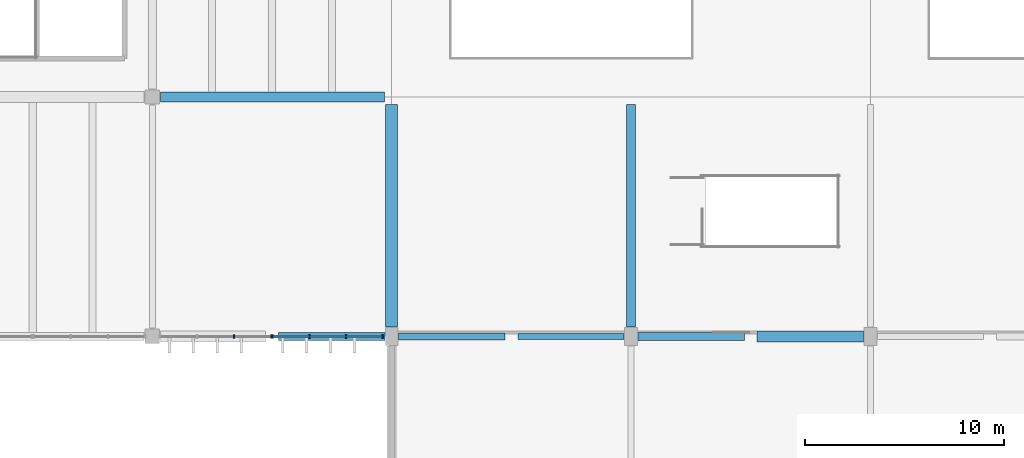
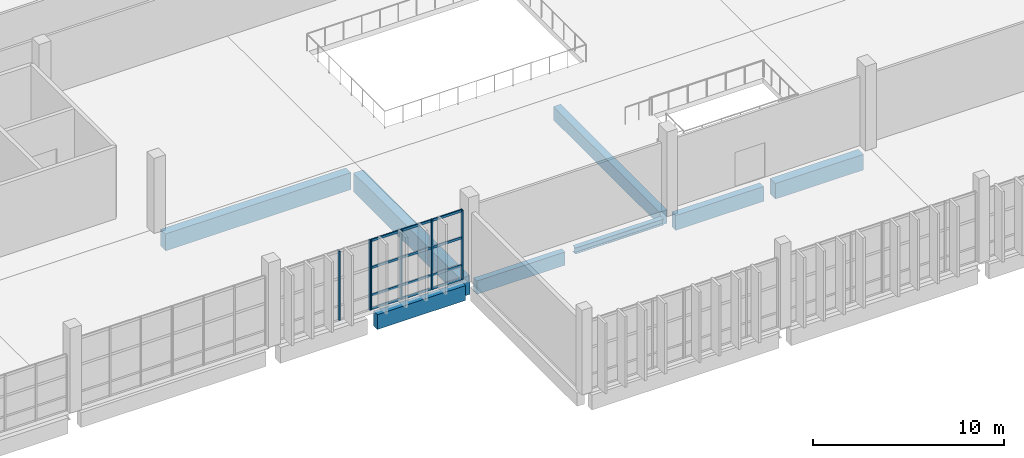
# One storey, part 31 of 112: 10 members, 8 beams, 2 elements without a shape of their own.
"""IFC4 building model written with IfcOpenShell, lengths in metres."""

from ifc_helpers import new_model, si_unit, direction, frame, origin, origin_2d, place, context, subcontext, project, spatial, rectangle, i_section, extrude, material, material_profile, profile_set, type_object, element, aggregate, save


model = new_model("IFC4")

# Units and contexts
model_context = context("Model", 3, precision=1e-05, world=origin(), true_north=direction((0.0, 1.0)))
body_context = subcontext(model_context, "Body", "Model", "MODEL_VIEW")
ifc_project = project(units=[si_unit("LENGTHUNIT", "METRE"), si_unit("AREAUNIT", "SQUARE_METRE"), si_unit("VOLUMEUNIT", "CUBIC_METRE"), si_unit("PLANEANGLEUNIT", "RADIAN"), si_unit("MASSUNIT", "GRAM", prefix="KILO")], contexts=[model_context])

# Site, building, storey
site_placement = place(None, origin())
site = spatial("IfcSite", under=ifc_project, at=site_placement, CompositionType="ELEMENT")
building_placement = place(site_placement, origin())
building = spatial("IfcBuilding", under=site, at=building_placement, Name="Kamomehara Wholesale Market", CompositionType="ELEMENT")
storey_placement = place(building_placement, frame((0.0, 0.0, 6.60009765625)))
storey = spatial("IfcBuildingStorey", under=building, at=storey_placement, Name="L01", CompositionType="ELEMENT", Elevation=6.60009765625)

# Beams
ifc_material_1 = material(Name="Precast concrete Fc45 (C40/50)", Category="concrete")
ifc_material_profile_1 = material_profile(ifc_material_1, rectangle(XDim=0.52001953125, YDim=1.080078125, at=origin_2d()), Name="PC-GRD-520x1080")
ifc_profile_set_1 = profile_set([ifc_material_profile_1], Name="Precast concrete Fc45 (C40/50)")
beam_type_1 = type_object("IfcBeamType", Name="BM-PG1080", PredefinedType="T_BEAM", material=ifc_profile_set_1)
beam_1_placement = place(storey_placement, frame((60.409912109375, 120.0, -0.89208984375), z_axis=(1.0, 0.0, 0.0), x_axis=(0.0, 1.0, 0.0)))
element("IfcBeam", 1, at=beam_1_placement, inside=storey, type_object=beam_type_1, Name="Beam PG-15 L01", PredefinedType="T_BEAM", context=body_context, shape_type="SweptSolid", body=[
    extrude(rectangle(XDim=0.52001953125, YDim=1.080078125, at=origin_2d()), origin(), (0.0, 0.0, 1.0), 11.215087890625),
])
ifc_material_2 = material(Name="Precast concrete Fc45 (C40/50)", Category="concrete")
ifc_material_profile_2 = material_profile(ifc_material_2, rectangle(XDim=0.60009765625, YDim=1.199951171875, at=origin_2d()), Name="PC-GRD-600x1200")
ifc_profile_set_2 = profile_set([ifc_material_profile_2], Name="Precast concrete Fc45 (C40/50)")
beam_type_2 = type_object("IfcBeamType", Name="BM-PG1200", PredefinedType="T_BEAM", material=ifc_profile_set_2)
beam_2_placement = place(storey_placement, frame((72.0, 108.47509765625, -0.93212890625), z_axis=(0.0, 1.0, 0.0), x_axis=(-1.0, 0.0, 0.0)))
element("IfcBeam", 2, at=beam_2_placement, inside=storey, type_object=beam_type_2, Name="Beam PG-05 L01", PredefinedType="T_BEAM", context=body_context, shape_type="SweptSolid", body=[
    extrude(rectangle(XDim=0.60009765625, YDim=1.199951171875, at=origin_2d()), origin(), (0.0, 0.0, 1.0), 11.14990234375),
])
ifc_material_3 = material(Name="Precast concrete Fc45 (C40/50)", Category="concrete")
ifc_material_profile_3 = material_profile(ifc_material_3, rectangle(XDim=0.449951171875, YDim=0.85009765625, at=origin_2d()), Name="PC-GRD-450x850")
ifc_profile_set_3 = profile_set([ifc_material_profile_3], Name="Precast concrete Fc45 (C40/50)")
beam_type_3 = type_object("IfcBeamType", Name="BM-PG850", PredefinedType="T_BEAM", material=ifc_profile_set_3)
beam_3_placement = place(storey_placement, frame((84.0, 108.47509765625, -0.737060546875), z_axis=(0.0, 1.0, 0.0), x_axis=(-1.0, 0.0, 0.0)))
element("IfcBeam", 3, at=beam_3_placement, inside=storey, type_object=beam_type_3, Name="Beam PG-11 L01", PredefinedType="T_BEAM", context=body_context, shape_type="SweptSolid", body=[
    extrude(rectangle(XDim=0.449951171875, YDim=0.85009765625, at=origin_2d()), origin(), (0.0, 0.0, 1.0), 11.14990234375),
])
ifc_material_4 = material(Name="Concrete Fc36 (C35/45)", Category="concrete")
ifc_material_profile_4 = material_profile(ifc_material_4, rectangle(XDim=0.550048828125, YDim=1.0, at=origin_2d()), Name="RC-SEB-550x1000")
ifc_profile_set_4 = profile_set([ifc_material_profile_4], Name="Concrete Fc36 (C35/45)")
beam_type_4 = type_object("IfcBeamType", Name="BM-SEB1000-EXT", PredefinedType="SPANDREL", material=ifc_profile_set_4)
beam_4_placement = place(storey_placement, frame((90.324951171875, 108.0, -0.81201171875), z_axis=(1.0, 0.0, 0.0), x_axis=(0.0, 1.0, 0.0)))
element("IfcBeam", 4, at=beam_4_placement, inside=storey, type_object=beam_type_4, Name="Beam SEB-03E L01", PredefinedType="SPANDREL", context=body_context, shape_type="SweptSolid", body=[
    extrude(rectangle(XDim=0.550048828125, YDim=1.0, at=origin_2d()), origin(), (0.0, 0.0, 1.0), 5.324951171875),
])
ifc_material_5 = material(Name="Precast concrete Fc45 (C40/50)", Category="concrete")
ifc_material_profile_5 = material_profile(ifc_material_5, rectangle(XDim=0.35009765625, YDim=0.85009765625, at=origin_2d()), Name="PC-SPN-350x850")
ifc_profile_set_5 = profile_set([ifc_material_profile_5], Name="Precast concrete Fc45 (C40/50)")
beam_type_5 = type_object("IfcBeamType", Name="BM-SPN850-EXT", PredefinedType="SPANDREL", material=ifc_profile_set_5)
beam_5_placement = place(storey_placement, frame((72.35009765625, 108.0, -0.737060546875), z_axis=(1.0, 0.0, 0.0), x_axis=(0.0, 1.0, 0.0)))
element("IfcBeam", 5, at=beam_5_placement, inside=storey, type_object=beam_type_5, Name="Beam SPN-02E L01", PredefinedType="SPANDREL", context=body_context, shape_type="SweptSolid", body=[
    extrude(rectangle(XDim=0.35009765625, YDim=0.85009765625, at=origin_2d()), origin(), (0.0, 0.0, 1.0), 5.324951171875),
])
ifc_material_6 = material(Name="Precast concrete Fc45 (C40/50)", Category="concrete")
ifc_material_profile_6 = material_profile(ifc_material_6, rectangle(XDim=0.39990234375, YDim=0.949951171875, at=origin_2d()), Name="PC-SPN-400x950")
ifc_profile_set_6 = profile_set([ifc_material_profile_6], Name="Precast concrete Fc45 (C40/50)")
beam_type_6 = type_object("IfcBeamType", Name="BM-SPN950-EXT", PredefinedType="SPANDREL", material=ifc_profile_set_6)
for number, where, z_axis, x_axis, name in (
    (6, (66.324951171875, 108.0, -0.80712890625), (1.0, 0.0, 0.0), (0.0, 1.0, 0.0), "Beam SPN-01E L01"),
    (7, (84.35009765625, 108.0, -0.787109375), (1.0, 0.0, 0.0), (0.0, 1.0, 0.0), "Beam SPN-01E L01"),
):
    element("IfcBeam", number, at=place(storey_placement, frame(where, z_axis=z_axis, x_axis=x_axis)), inside=storey, type_object=beam_type_6, Name=name, PredefinedType="SPANDREL", context=body_context, shape_type="SweptSolid", body=[
        extrude(rectangle(XDim=0.39990234375, YDim=0.949951171875, at=origin_2d()), origin(), (0.0, 0.0, 1.0), 5.324951171875),
    ])
ifc_material_7 = material(Name="Steel SN490B", Category="steel")
ifc_material_profile_7 = material_profile(ifc_material_7, i_section(OverallWidth=0.300048828125, OverallDepth=0.389892578125, WebThickness=0.010009765625, FlangeThickness=0.01611328125, FilletRadius=0.01806640625, at=origin_2d()), Name="H-390x300x10x16")
ifc_profile_set_7 = profile_set([ifc_material_profile_7], Name="Steel SN490B")
beam_type_7 = type_object("IfcBeamType", Name="BM-ST-H390-EXT", PredefinedType="SPANDREL", material=ifc_profile_set_7)
beam_6_placement = place(storey_placement, frame((78.324951171875, 108.0, -0.507080078125), z_axis=(1.0, 0.0, 0.0), x_axis=(0.0, 1.0, 0.0)))
element("IfcBeam", 8, at=beam_6_placement, inside=storey, type_object=beam_type_7, Name="Beam SJ-03E L01", PredefinedType="SPANDREL", context=body_context, shape_type="SweptSolid", body=[
    extrude(i_section(OverallWidth=0.300048828125, OverallDepth=0.389892578125, WebThickness=0.010009765625, FlangeThickness=0.01611328125, FilletRadius=0.01806640625, at=origin_2d()), origin(), (0.0, 0.0, 1.0), 5.324951171875),
])

# Curtain wall, members
ifc_material_8 = material(Name="Anodised aluminium 6063-T5", Category="aluminium")
curtain_wall_type = type_object("IfcCurtainWallType", Name="CW-UN-02", PredefinedType="NOTDEFINED", material=ifc_material_8)
curtain_wall_1_placement = place(storey_placement, origin())
curtain_wall_1 = element("IfcCurtainWall", 9, at=curtain_wall_1_placement, inside=storey, type_object=curtain_wall_type, Name="Unitised curtain wall CW-059", PredefinedType="NOTDEFINED")
ifc_material_9 = material(Name="Anodised aluminium 6063-T5", Category="aluminium")
ifc_material_profile_8 = material_profile(ifc_material_9, rectangle(XDim=0.074951171875, YDim=0.179931640625, at=origin_2d()), Name="ALU-MUL-75x180")
ifc_profile_set_8 = profile_set([ifc_material_profile_8], Name="Anodised aluminium 6063-T5")
member_type_1 = type_object("IfcMemberType", Name="CW-MUL-180", PredefinedType="MULLION", material=ifc_profile_set_8)
member_1_placement = place(storey_placement, frame((71.5400390625, 108.0, 0.0), z_axis=(0.0, 0.0, 1.0), x_axis=(-1.0, 0.0, 0.0)))
member_1 = element("IfcMember", 10, at=member_1_placement, type_object=member_type_1, Name="Mullion CW-059.0", PredefinedType="MULLION", context=body_context, shape_type="SweptSolid", body=[
    extrude(rectangle(XDim=0.074951171875, YDim=0.179931640625, at=origin_2d()), origin(), (0.0, 0.0, 1.0), 4.429931640625),
])
member_2_placement = place(storey_placement, frame((69.702880859375, 108.0, 0.0), z_axis=(0.0, 0.0, 1.0), x_axis=(-1.0, 0.0, 0.0)))
member_2 = element("IfcMember", 11, at=member_2_placement, type_object=member_type_1, Name="Mullion CW-059.1", PredefinedType="MULLION", context=body_context, shape_type="SweptSolid", body=[
    extrude(rectangle(XDim=0.074951171875, YDim=0.179931640625, at=origin_2d()), origin(), (0.0, 0.0, 1.0), 4.429931640625),
])
member_3_placement = place(storey_placement, frame((67.866943359375, 108.0, 0.0), z_axis=(0.0, 0.0, 1.0), x_axis=(-1.0, 0.0, 0.0)))
member_3 = element("IfcMember", 12, at=member_3_placement, type_object=member_type_1, Name="Mullion CW-059.2", PredefinedType="MULLION", context=body_context, shape_type="SweptSolid", body=[
    extrude(rectangle(XDim=0.074951171875, YDim=0.179931640625, at=origin_2d()), origin(), (0.0, 0.0, 1.0), 4.429931640625),
])
member_4_placement = place(storey_placement, frame((66.030029296875, 108.0, 0.0), z_axis=(0.0, 0.0, 1.0), x_axis=(-1.0, 0.0, 0.0)))
member_4 = element("IfcMember", 13, at=member_4_placement, type_object=member_type_1, Name="Mullion CW-059.3", PredefinedType="MULLION", context=body_context, shape_type="SweptSolid", body=[
    extrude(rectangle(XDim=0.074951171875, YDim=0.179931640625, at=origin_2d()), origin(), (0.0, 0.0, 1.0), 4.429931640625),
])

curtain_wall_2_placement = place(storey_placement, origin())
curtain_wall_2 = element("IfcCurtainWall", 14, at=curtain_wall_2_placement, inside=storey, type_object=curtain_wall_type, Name="Unitised curtain wall CW-060", PredefinedType="NOTDEFINED")
member_5_placement = place(storey_placement, frame((65.969970703125, 108.0, 0.0), z_axis=(0.0, 0.0, 1.0), x_axis=(-1.0, 0.0, 0.0)))
member_5 = element("IfcMember", 15, at=member_5_placement, type_object=member_type_1, Name="Mullion CW-060.0", PredefinedType="MULLION", context=body_context, shape_type="SweptSolid", body=[
    extrude(rectangle(XDim=0.074951171875, YDim=0.179931640625, at=origin_2d()), origin(), (0.0, 0.0, 1.0), 4.429931640625),
])
member_6_placement = place(storey_placement, frame((64.10302734375, 108.0, 0.0), z_axis=(0.0, 0.0, 1.0), x_axis=(-1.0, 0.0, 0.0)))
member_6 = element("IfcMember", 16, at=member_6_placement, type_object=member_type_1, Name="Mullion CW-060.1", PredefinedType="MULLION", context=body_context, shape_type="SweptSolid", body=[
    extrude(rectangle(XDim=0.074951171875, YDim=0.179931640625, at=origin_2d()), origin(), (0.0, 0.0, 1.0), 4.429931640625),
])
aggregate(curtain_wall_2, [member_5, member_6])

# Member
ifc_material_10 = material(Name="Anodised aluminium 6063-T5", Category="aluminium")
ifc_material_profile_9 = material_profile(ifc_material_10, rectangle(XDim=0.074951171875, YDim=0.14990234375, at=origin_2d()), Name="ALU-TRN-75x150")
ifc_profile_set_9 = profile_set([ifc_material_profile_9], Name="Anodised aluminium 6063-T5")
member_type_2 = type_object("IfcMemberType", Name="CW-TRN-150", PredefinedType="USERDEFINED", material=ifc_profile_set_9)
member_7_placement = place(storey_placement, frame((71.5400390625, 108.0, 0.039794921875), z_axis=(-1.0, 0.0, 0.0), x_axis=(0.0, -1.0, 0.0)))
member_7 = element("IfcMember", 17, at=member_7_placement, type_object=member_type_2, Name="Transom CW-059.0", ObjectType="TRANSOM", PredefinedType="USERDEFINED", context=body_context, shape_type="SweptSolid", body=[
    extrude(rectangle(XDim=0.074951171875, YDim=0.14990234375, at=origin_2d()), origin(), (0.0, 0.0, 1.0), 5.510009765625),
])

member_8_placement = place(storey_placement, frame((71.5400390625, 108.0, 0.89990234375), z_axis=(-1.0, 0.0, 0.0), x_axis=(0.0, -1.0, 0.0)))
member_8 = element("IfcMember", 18, at=member_8_placement, type_object=member_type_2, Name="Transom CW-059.1", ObjectType="TRANSOM", PredefinedType="USERDEFINED", context=body_context, shape_type="SweptSolid", body=[
    extrude(rectangle(XDim=0.074951171875, YDim=0.14990234375, at=origin_2d()), origin(), (0.0, 0.0, 1.0), 5.510009765625),
])

member_9_placement = place(storey_placement, frame((71.5400390625, 108.0, 2.664794921875), z_axis=(-1.0, 0.0, 0.0), x_axis=(0.0, -1.0, 0.0)))
member_9 = element("IfcMember", 19, at=member_9_placement, type_object=member_type_2, Name="Transom CW-059.2", ObjectType="TRANSOM", PredefinedType="USERDEFINED", context=body_context, shape_type="SweptSolid", body=[
    extrude(rectangle(XDim=0.074951171875, YDim=0.14990234375, at=origin_2d()), origin(), (0.0, 0.0, 1.0), 5.510009765625),
])

member_10_placement = place(storey_placement, frame((71.5400390625, 108.0, 4.389892578125), z_axis=(-1.0, 0.0, 0.0), x_axis=(0.0, -1.0, 0.0)))
member_10 = element("IfcMember", 20, at=member_10_placement, type_object=member_type_2, Name="Transom CW-059.3", ObjectType="TRANSOM", PredefinedType="USERDEFINED", context=body_context, shape_type="SweptSolid", body=[
    extrude(rectangle(XDim=0.074951171875, YDim=0.14990234375, at=origin_2d()), origin(), (0.0, 0.0, 1.0), 5.510009765625),
])

aggregate(curtain_wall_1, [member_1, member_2, member_3, member_4, member_7, member_8, member_9, member_10])

save(model, "model.ifc")
